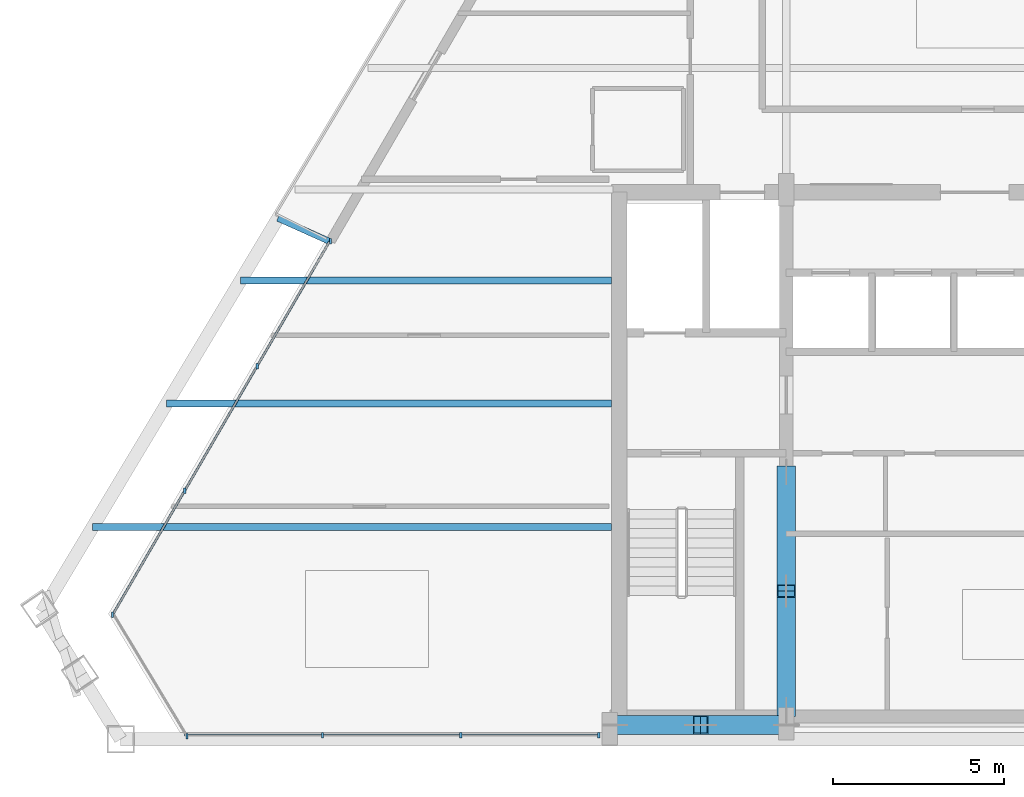
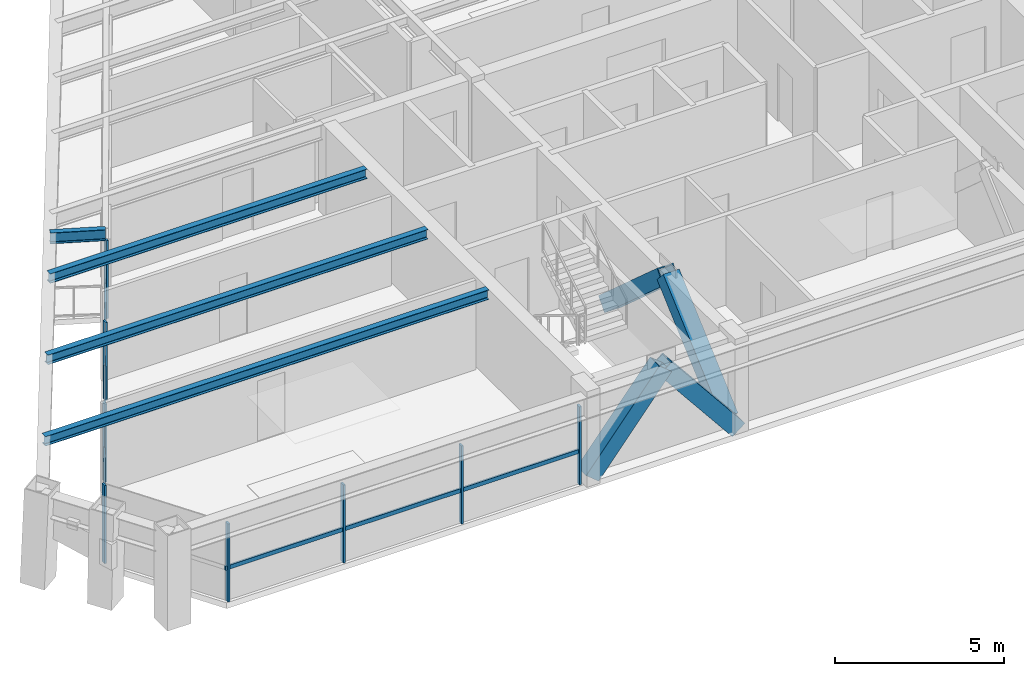
# One storey, part 2 of 13: 18 members, 4 beams, 3 elements without a shape of their own.
"""IFC4 building model written with IfcOpenShell, lengths in metres."""

from ifc_helpers import new_model, si_unit, direction, frame, origin, origin_2d, place, context, subcontext, project, spatial, rectangle, hollow_rectangle, i_section, extrude, source, transform, mapped, material, material_profile, profile_set, type_object, type_shapes, element, aggregate, save


model = new_model("IFC4")

# Units and contexts
model_context = context("Model", 3, precision=1e-05, world=origin(), true_north=direction((0.0, 1.0)))
body_context = subcontext(model_context, "Body", "Model", "MODEL_VIEW")
ifc_project = project(units=[si_unit("LENGTHUNIT", "METRE"), si_unit("AREAUNIT", "SQUARE_METRE"), si_unit("VOLUMEUNIT", "CUBIC_METRE"), si_unit("PLANEANGLEUNIT", "RADIAN"), si_unit("MASSUNIT", "GRAM", prefix="KILO")], contexts=[model_context])

# Site, building, storey
site_placement = place(None, origin())
site = spatial("IfcSite", under=ifc_project, at=site_placement, CompositionType="ELEMENT")
building_placement = place(site_placement, origin())
building = spatial("IfcBuilding", under=site, at=building_placement, Name="Varnakhor Terracotta Tower", CompositionType="ELEMENT")
storey_placement = place(building_placement, frame((0.0, 0.0, 262.64990234375)))
storey = spatial("IfcBuildingStorey", under=building, at=storey_placement, Name="L68", CompositionType="ELEMENT", Elevation=262.64990234375)

# Members
ifc_material_1 = material(Name="Steel S355", Category="steel")
ifc_material_profile_1 = material_profile(ifc_material_1, hollow_rectangle(XDim=0.550048828125, YDim=0.550048828125, WallThickness=0.034912109375, at=origin_2d()), Name="HSS550X550X35")
ifc_profile_set_1 = profile_set([ifc_material_profile_1], Name="Steel S355")
member_type_1 = type_object("IfcMemberType", Name="MBR-MEGA-550", PredefinedType="BRACE", material=ifc_profile_set_1)
shared_shape_1 = source(origin(), body_context, "Body", "SweptSolid", [
    extrude(hollow_rectangle(XDim=0.550048828125, YDim=0.550048828125, WallThickness=0.034912109375, at=origin_2d()), origin(), (0.0, 0.0, 1.0), 3.974853515625),
])
for number, where, z_axis, x_axis, name in (
    (1, (-10.5, 0.419921875, 0.0), (0.628970263838, 0.0, 0.777429358339), (0.0, 1.0, 0.0), "L68 Core Coupled Brace CSWA"),
    (2, (-5.5, 0.419921875, 0.0), (-0.628970263838, 0.0, 0.777429358339), (0.0, -1.0, 0.0), "L68 Core Coupled Brace CSWB"),
):
    element("IfcMember", number, at=place(storey_placement, frame(where, z_axis=z_axis, x_axis=x_axis)), inside=storey, type_object=member_type_1, Name=name, PredefinedType="BRACE", context=body_context, shape_type="MappedRepresentation", body=[
        mapped(shared_shape_1, transform((0.0, 0.0, 0.0), scale=1.0)),
    ])
shared_shape_2 = source(origin(), body_context, "Body", "SweptSolid", [
    extrude(hollow_rectangle(XDim=0.550048828125, YDim=0.550048828125, WallThickness=0.034912109375, at=origin_2d()), origin(), (0.0, 0.0, 1.0), 4.650146484375),
])
for number, where, z_axis, x_axis, name in (
    (3, (-5.5, 0.85009765625, 0.0), (0.0, 0.74726736397, 0.664523503532), (-1.0, 0.0, 0.0), "L68 Core Coupled Brace CWWA"),
    (4, (-5.5, 7.800048828125, 0.0), (0.0, -0.74729054724, 0.664497432655), (1.0, 0.0, 0.0), "L68 Core Coupled Brace CWWB"),
):
    element("IfcMember", number, at=place(storey_placement, frame(where, z_axis=z_axis, x_axis=x_axis)), inside=storey, type_object=member_type_1, Name=name, PredefinedType="BRACE", context=body_context, shape_type="MappedRepresentation", body=[
        mapped(shared_shape_2, transform((0.0, 0.0, 0.0), scale=1.0)),
    ])

# Beams
ifc_material_profile_2 = material_profile(ifc_material_1, i_section(OverallWidth=0.202880859375, OverallDepth=0.346923828125, WebThickness=0.0078125, FlangeThickness=0.013427734375, FilletRadius=0.01806640625, at=origin_2d()), Name="W14X43")
ifc_profile_set_2 = profile_set([ifc_material_profile_2], Name="Steel S355")
beam_type_1 = type_object("IfcBeamType", Name="JST-W14X43", PredefinedType="JOIST", material=ifc_profile_set_2)
shared_shape_3 = source(origin(), body_context, "Body", "SweptSolid", [
    extrude(i_section(OverallWidth=0.202880859375, OverallDepth=0.346923828125, WebThickness=0.0078125, FlangeThickness=0.013427734375, FilletRadius=0.01806640625, at=origin_2d()), origin(), (0.0, 0.0, 1.0), 15.1484375),
])
beam_1_placement = place(storey_placement, frame((-25.74853515625, 6.199951171875, 3.066650390625), z_axis=(1.0, 0.0, 0.0), x_axis=(0.0, 1.0, 0.0)))
element("IfcBeam", 5, at=beam_1_placement, inside=storey, type_object=beam_type_1, Name="L68 Floor Joist W1", PredefinedType="JOIST", context=body_context, shape_type="MappedRepresentation", body=[
    mapped(shared_shape_3, transform((0.0, 0.0, 0.0), scale=1.0)),
])
shared_shape_4 = source(origin(), body_context, "Body", "SweptSolid", [
    extrude(i_section(OverallWidth=0.202880859375, OverallDepth=0.346923828125, WebThickness=0.0078125, FlangeThickness=0.013427734375, FilletRadius=0.01806640625, at=origin_2d()), origin(), (0.0, 0.0, 1.0), 12.989013671875),
])
beam_2_placement = place(storey_placement, frame((-23.589111328125, 9.800048828125, 3.066650390625), z_axis=(1.0, 0.0, 0.0), x_axis=(0.0, 1.0, 0.0)))
element("IfcBeam", 6, at=beam_2_placement, inside=storey, type_object=beam_type_1, Name="L68 Floor Joist W2", PredefinedType="JOIST", context=body_context, shape_type="MappedRepresentation", body=[
    mapped(shared_shape_4, transform((0.0, 0.0, 0.0), scale=1.0)),
])
shared_shape_5 = source(origin(), body_context, "Body", "SweptSolid", [
    extrude(i_section(OverallWidth=0.202880859375, OverallDepth=0.346923828125, WebThickness=0.0078125, FlangeThickness=0.013427734375, FilletRadius=0.01806640625, at=origin_2d()), origin(), (0.0, 0.0, 1.0), 10.829345703125),
])
beam_3_placement = place(storey_placement, frame((-21.429443359375, 13.39990234375, 3.066650390625), z_axis=(1.0, 0.0, 0.0), x_axis=(0.0, 1.0, 0.0)))
element("IfcBeam", 7, at=beam_3_placement, inside=storey, type_object=beam_type_1, Name="L68 Floor Joist W3", PredefinedType="JOIST", context=body_context, shape_type="MappedRepresentation", body=[
    mapped(shared_shape_5, transform((0.0, 0.0, 0.0), scale=1.0)),
])

# Curtain wall, members
ifc_material_2 = material(Name="Anodised Aluminium Curtain Wall System", Category="aluminium")
curtain_wall_type = type_object("IfcCurtainWallType", Name="CW-SYS-HOTEL-LOGGIA", PredefinedType="NOTDEFINED", material=ifc_material_2)
curtain_wall_1_placement = place(storey_placement, origin())
curtain_wall_1 = element("IfcCurtainWall", 8, at=curtain_wall_1_placement, inside=storey, type_object=curtain_wall_type, Name="L68 W Facet Curtain Wall 1", PredefinedType="NOTDEFINED")
ifc_material_3 = material(Name="Anodised Aluminium 6063-T6", Category="aluminium")
ifc_material_profile_3 = material_profile(ifc_material_3, rectangle(XDim=0.06494140625, YDim=0.159912109375, at=origin_2d()), Name="ALU MULLION 65x160")
ifc_profile_set_3 = profile_set([ifc_material_profile_3], Name="Anodised Aluminium 6063-T6")
member_type_2 = type_object("IfcMemberType", Name="CWM-04", PredefinedType="MULLION", material=ifc_profile_set_3)
shared_shape_6 = source(origin(), body_context, "Body", "SweptSolid", [
    extrude(rectangle(XDim=0.06494140625, YDim=0.159912109375, at=origin_2d()), origin(), (0.0, 0.0, 1.0), 2.820068359375),
])
type_shapes(member_type_2, [shared_shape_6])
member_1_placement = place(storey_placement, frame((-25.172119140625, 3.62841796875, 0.0), z_axis=(0.0, 0.0, 1.0), x_axis=(1.0, 0.0, 0.0)))
member_1 = element("IfcMember", 9, at=member_1_placement, type_object=member_type_2, Name="L68 W Facet Curtain Wall 1 Mullion 1", PredefinedType="MULLION", context=body_context, shape_type="MappedRepresentation", body=[
    mapped(shared_shape_6, transform((0.0, 0.0, 0.0), scale=1.0)),
])
member_2_placement = place(storey_placement, frame((-23.06005859375, 7.26220703125, 0.0), z_axis=(0.0, 0.0, 1.0), x_axis=(1.0, 0.0, 0.0)))
member_2 = element("IfcMember", 10, at=member_2_placement, type_object=member_type_2, Name="L68 W Facet Curtain Wall 1 Mullion 2", PredefinedType="MULLION", context=body_context, shape_type="MappedRepresentation", body=[
    mapped(shared_shape_6, transform((0.0, 0.0, 0.0), scale=1.0)),
])
member_3_placement = place(storey_placement, frame((-20.947998046875, 10.89599609375, 0.0), z_axis=(0.0, 0.0, 1.0), x_axis=(1.0, 0.0, 0.0)))
member_3 = element("IfcMember", 11, at=member_3_placement, type_object=member_type_2, Name="L68 W Facet Curtain Wall 1 Mullion 3", PredefinedType="MULLION", context=body_context, shape_type="MappedRepresentation", body=[
    mapped(shared_shape_6, transform((0.0, 0.0, 0.0), scale=1.0)),
])
member_4_placement = place(storey_placement, frame((-18.8037109375, 14.54541015625, 0.0), z_axis=(0.0, 0.0, 1.0), x_axis=(1.0, 0.0, 0.0)))
member_4 = element("IfcMember", 12, at=member_4_placement, type_object=member_type_2, Name="L68 W Loggia Jamb Closure Mullion 1", PredefinedType="MULLION", context=body_context, shape_type="MappedRepresentation", body=[
    mapped(shared_shape_6, transform((0.0, 0.0, 0.0), scale=1.0)),
])

curtain_wall_2_placement = place(storey_placement, origin())
curtain_wall_2 = element("IfcCurtainWall", 13, at=curtain_wall_2_placement, inside=storey, type_object=curtain_wall_type, Name="L68 South Wing Curtain Wall SSW", PredefinedType="NOTDEFINED")
member_5_placement = place(storey_placement, frame((-10.969970703125, 0.1201171875, 0.0), z_axis=(0.0, 0.0, 1.0), x_axis=(1.0, 0.0, 0.0)))
member_5 = element("IfcMember", 14, at=member_5_placement, type_object=member_type_2, Name="L68 South Wing Curtain Wall SSW Mullion 1", PredefinedType="MULLION", context=body_context, shape_type="MappedRepresentation", body=[
    mapped(shared_shape_6, transform((0.0, 0.0, 0.0), scale=1.0)),
])
member_6_placement = place(storey_placement, frame((-15.00439453125, 0.1201171875, 0.0), z_axis=(0.0, 0.0, 1.0), x_axis=(1.0, 0.0, 0.0)))
member_6 = element("IfcMember", 15, at=member_6_placement, type_object=member_type_2, Name="L68 South Wing Curtain Wall SSW Mullion 2", PredefinedType="MULLION", context=body_context, shape_type="MappedRepresentation", body=[
    mapped(shared_shape_6, transform((0.0, 0.0, 0.0), scale=1.0)),
])
member_7_placement = place(storey_placement, frame((-19.038818359375, 0.1201171875, 0.0), z_axis=(0.0, 0.0, 1.0), x_axis=(1.0, 0.0, 0.0)))
member_7 = element("IfcMember", 16, at=member_7_placement, type_object=member_type_2, Name="L68 South Wing Curtain Wall SSW Mullion 3", PredefinedType="MULLION", context=body_context, shape_type="MappedRepresentation", body=[
    mapped(shared_shape_6, transform((0.0, 0.0, 0.0), scale=1.0)),
])

# Curtain wall, member
curtain_wall_3_placement = place(storey_placement, origin())
curtain_wall_3 = element("IfcCurtainWall", 17, at=curtain_wall_3_placement, inside=storey, type_object=curtain_wall_type, Name="L68 Facet Curtain Wall 6", PredefinedType="NOTDEFINED")
member_8_placement = place(storey_placement, frame((-22.99609375, 0.087646484375, 0.0), z_axis=(0.0, 0.0, 1.0), x_axis=(1.0, 0.0, 0.0)))
member_8 = element("IfcMember", 18, at=member_8_placement, type_object=member_type_2, Name="L68 Facet Curtain Wall 6 Mullion 1", PredefinedType="MULLION", context=body_context, shape_type="MappedRepresentation", body=[
    mapped(shared_shape_6, transform((0.0, 0.0, 0.0), scale=1.0)),
])
aggregate(curtain_wall_3, [member_8])

# Member
ifc_material_profile_4 = material_profile(ifc_material_3, rectangle(XDim=0.06494140625, YDim=0.14501953125, at=origin_2d()), Name="ALU TRANSOM 65x145")
ifc_profile_set_4 = profile_set([ifc_material_profile_4], Name="Anodised Aluminium 6063-T6")
member_type_3 = type_object("IfcMemberType", Name="CWT-04", PredefinedType="USERDEFINED", material=ifc_profile_set_4)
shared_shape_7 = source(origin(), body_context, "Body", "SweptSolid", [
    extrude(rectangle(XDim=0.06494140625, YDim=0.14501953125, at=origin_2d()), origin(), (0.0, 0.0, 1.0), 4.202880859375),
])
member_9_placement = place(storey_placement, frame((-25.172119140625, 3.62841796875, 1.1845703125), z_axis=(0.502512426272, 0.864569986434, 0.0), x_axis=(-0.864569986434, 0.502512426272, 0.0)))
member_9 = element("IfcMember", 19, at=member_9_placement, type_object=member_type_3, Name="L68 W Facet Curtain Wall 1 Transom 1", ObjectType="TRANSOM", PredefinedType="USERDEFINED", context=body_context, shape_type="MappedRepresentation", body=[
    mapped(shared_shape_7, transform((0.0, 0.0, 0.0), scale=1.0)),
])

member_10_placement = place(storey_placement, frame((-23.06005859375, 7.26220703125, 1.1845703125), z_axis=(0.502512426272, 0.864569986434, 0.0), x_axis=(-0.864569986434, 0.502512426272, 0.0)))
member_10 = element("IfcMember", 20, at=member_10_placement, type_object=member_type_3, Name="L68 W Facet Curtain Wall 1 Transom 2", ObjectType="TRANSOM", PredefinedType="USERDEFINED", context=body_context, shape_type="MappedRepresentation", body=[
    mapped(shared_shape_7, transform((0.0, 0.0, 0.0), scale=1.0)),
])

shared_shape_8 = source(origin(), body_context, "Body", "SweptSolid", [
    extrude(rectangle(XDim=0.06494140625, YDim=0.14501953125, at=origin_2d()), origin(), (0.0, 0.0, 1.0), 4.20263671875),
])
member_11_placement = place(storey_placement, frame((-20.947998046875, 10.89599609375, 1.1845703125), z_axis=(0.502494242022, 0.864580555377, 0.0), x_axis=(-0.864580555377, 0.502494242022, 0.0)))
member_11 = element("IfcMember", 21, at=member_11_placement, type_object=member_type_3, Name="L68 W Facet Curtain Wall 1 Transom 3", ObjectType="TRANSOM", PredefinedType="USERDEFINED", context=body_context, shape_type="MappedRepresentation", body=[
    mapped(shared_shape_8, transform((0.0, 0.0, 0.0), scale=1.0)),
])

aggregate(curtain_wall_1, [member_1, member_9, member_2, member_10, member_3, member_11, member_4])

shared_shape_9 = source(origin(), body_context, "Body", "SweptSolid", [
    extrude(rectangle(XDim=0.06494140625, YDim=0.14501953125, at=origin_2d()), origin(), (0.0, 0.0, 1.0), 4.034423828125),
])
member_12_placement = place(storey_placement, frame((-10.969970703125, 0.1201171875, 1.1845703125), z_axis=(-1.0, 0.0, 0.0), x_axis=(0.0, -1.0, 0.0)))
member_12 = element("IfcMember", 22, at=member_12_placement, type_object=member_type_3, Name="L68 South Wing Curtain Wall SSW Transom 1", ObjectType="TRANSOM", PredefinedType="USERDEFINED", context=body_context, shape_type="MappedRepresentation", body=[
    mapped(shared_shape_9, transform((0.0, 0.0, 0.0), scale=1.0)),
])

member_13_placement = place(storey_placement, frame((-15.00439453125, 0.1201171875, 1.1845703125), z_axis=(-1.0, 0.0, 0.0), x_axis=(0.0, -1.0, 0.0)))
member_13 = element("IfcMember", 23, at=member_13_placement, type_object=member_type_3, Name="L68 South Wing Curtain Wall SSW Transom 2", ObjectType="TRANSOM", PredefinedType="USERDEFINED", context=body_context, shape_type="MappedRepresentation", body=[
    mapped(shared_shape_9, transform((0.0, 0.0, 0.0), scale=1.0)),
])

member_14_placement = place(storey_placement, frame((-19.038818359375, 0.1201171875, 1.1845703125), z_axis=(-1.0, 0.0, 0.0), x_axis=(0.0, -1.0, 0.0)))
member_14 = element("IfcMember", 24, at=member_14_placement, type_object=member_type_3, Name="L68 South Wing Curtain Wall SSW Transom 3", ObjectType="TRANSOM", PredefinedType="USERDEFINED", context=body_context, shape_type="MappedRepresentation", body=[
    mapped(shared_shape_9, transform((0.0, 0.0, 0.0), scale=1.0)),
])

aggregate(curtain_wall_2, [member_5, member_12, member_6, member_13, member_7, member_14])

# Beam
ifc_material_profile_5 = material_profile(ifc_material_1, i_section(OverallWidth=0.179931640625, OverallDepth=0.39990234375, WebThickness=0.008544921875, FlangeThickness=0.013427734375, FilletRadius=0.01806640625, at=origin_2d()), Name="IPE400")
ifc_profile_set_5 = profile_set([ifc_material_profile_5], Name="Steel S355")
beam_type_2 = type_object("IfcBeamType", Name="JST-IPE400", PredefinedType="JOIST", material=ifc_profile_set_5)
shared_shape_10 = source(origin(), body_context, "Body", "SweptSolid", [
    extrude(i_section(OverallWidth=0.179931640625, OverallDepth=0.39990234375, WebThickness=0.008544921875, FlangeThickness=0.013427734375, FilletRadius=0.01806640625, at=origin_2d()), origin(), (0.0, 0.0, 1.0), 1.652587890625),
])
beam_4_placement = place(storey_placement, frame((-18.834228515625, 14.5361328125, 3.0400390625), z_axis=(-0.912374270994, 0.409357044191, 0.0), x_axis=(-0.409357044191, -0.912374270994, 0.0)))
element("IfcBeam", 25, at=beam_4_placement, inside=storey, type_object=beam_type_2, Name="L69 W Loggia Tie Beam 1", PredefinedType="JOIST", context=body_context, shape_type="MappedRepresentation", body=[
    mapped(shared_shape_10, transform((0.0, 0.0, 0.0), scale=1.0)),
])

save(model, "model.ifc")
